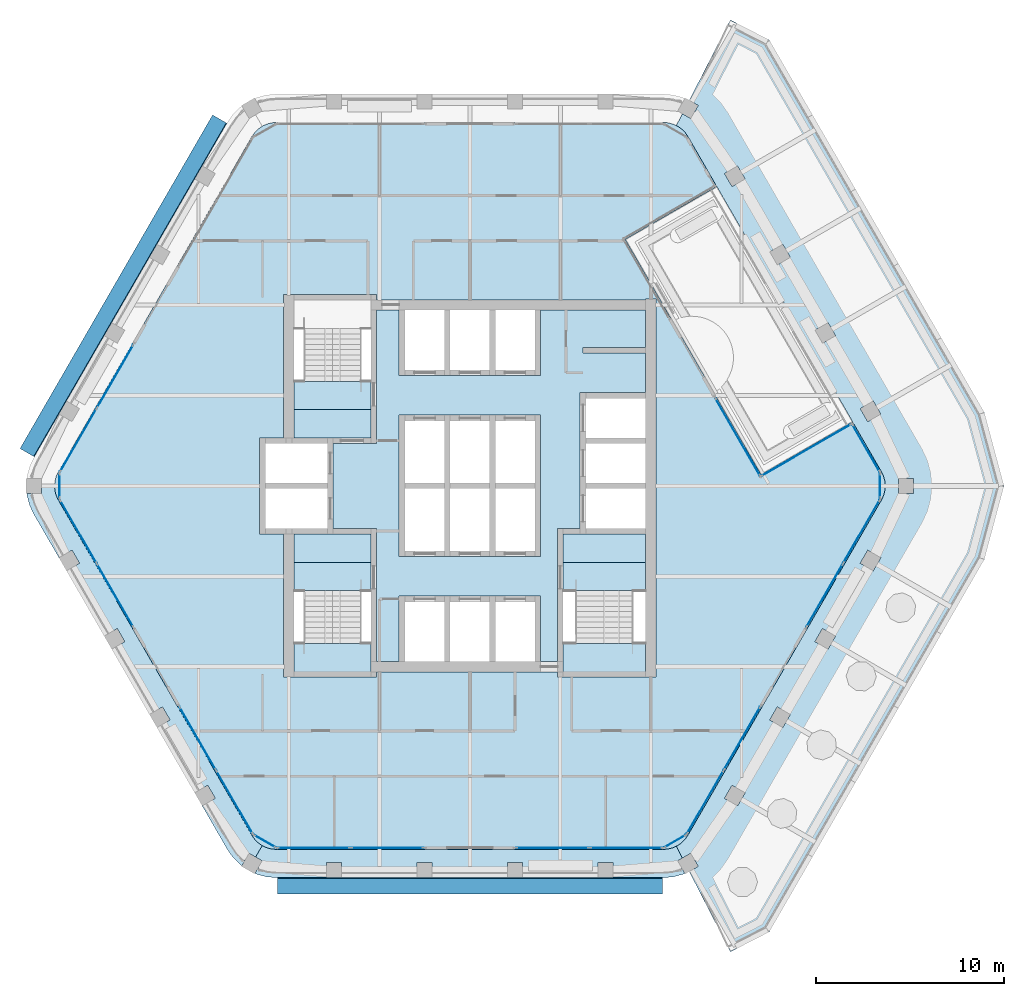
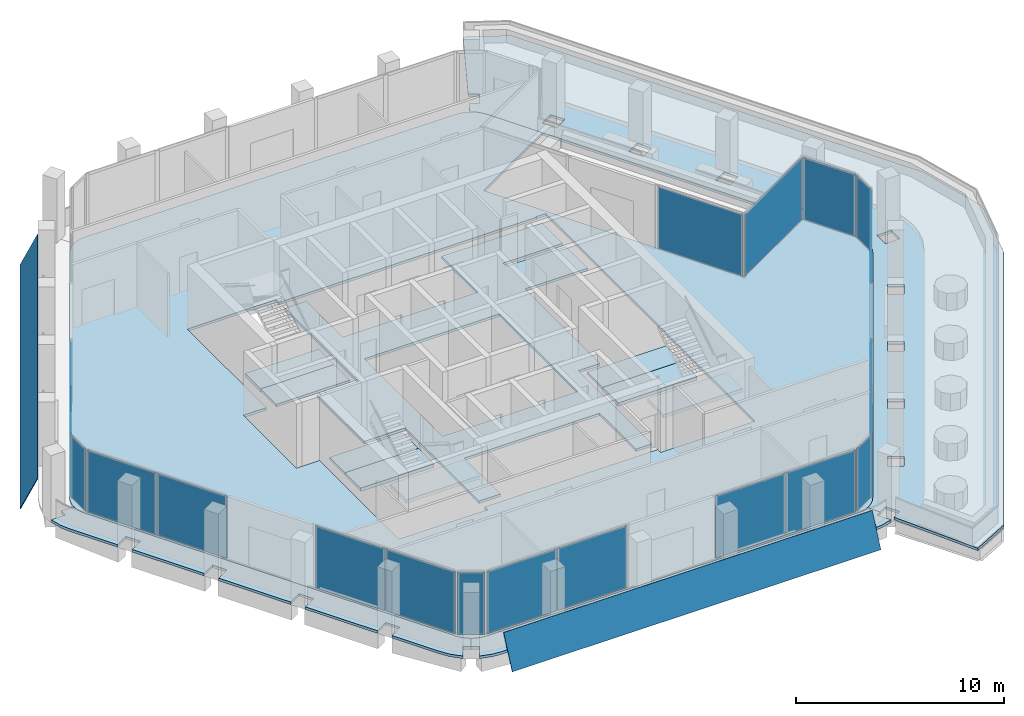
# One storey, part 8 of 17: 23 plates, 13 slabs, 17 elements without a shape of their own.
"""IFC4 building model written with IfcOpenShell, lengths in metres."""

from ifc_helpers import new_model, si_unit, direction, frame, origin, origin_2d, place, context, subcontext, project, spatial, polyline, rectangle, outline, extrude, material, layer, layer_set, type_object, element, aggregate, save


model = new_model("IFC4")

# Units and contexts
model_context = context("Model", 3, precision=1e-05, world=origin(), true_north=direction((0.0, 1.0)))
body_context = subcontext(model_context, "Body", "Model", "MODEL_VIEW")
ifc_project = project(units=[si_unit("LENGTHUNIT", "METRE"), si_unit("AREAUNIT", "SQUARE_METRE"), si_unit("VOLUMEUNIT", "CUBIC_METRE"), si_unit("PLANEANGLEUNIT", "RADIAN"), si_unit("MASSUNIT", "GRAM", prefix="KILO")], contexts=[model_context])

# Site, building, storey
site_placement = place(None, origin())
site = spatial("IfcSite", under=ifc_project, at=site_placement, CompositionType="ELEMENT")
building_placement = place(site_placement, origin())
building = spatial("IfcBuilding", under=site, at=building_placement, Name="Kolab Exchange Tower", CompositionType="ELEMENT")
storey_placement = place(building_placement, frame((0.0, 0.0, 285.199951171875)))
storey = spatial("IfcBuildingStorey", under=building, at=storey_placement, Name="L64", CompositionType="ELEMENT", Elevation=285.199951171875)

# Slabs
ifc_material_1 = material(Name="Concrete C35/45", Category="concrete")
ifc_layer_1 = layer(ifc_material_1, 0.14990234375)
ifc_layer_set_1 = layer_set([ifc_layer_1], Name="Concrete C35/45")
slab_type_1 = type_object("IfcSlabType", Name="FLOOR SLAB 150", PredefinedType="FLOOR", material=ifc_layer_set_1)
slab_1_placement = place(storey_placement, frame((0.0, 0.0, -0.14990234375)))
element("IfcSlab", 1, at=slab_1_placement, inside=storey, type_object=slab_type_1, Name="slab/L64/floor/0", PredefinedType="FLOOR", context=body_context, shape_type="SweptSolid", body=[
    extrude(outline(polyline([(21.8349609375, 0.75), (20.301025390625, 3.406982421875), (15.451171875, 0.60693359375), (8.251220703125, 13.07763671875), (13.10107421875, 15.877685546875), (11.56689453125, 18.53466796875), (11.4169921875, 18.748779296875), (11.232177734375, 18.93359375), (11.01806640625, 19.083740234375), (10.781005859375, 19.194091796875), (10.5283203125, 19.26171875), (10.26806640625, 19.28466796875), (-10.26806640625, 19.28466796875), (-10.5283203125, 19.26171875), (-10.781005859375, 19.194091796875), (-11.01806640625, 19.083740234375), (-11.232177734375, 18.93359375), (-11.4169921875, 18.748779296875), (-11.56689453125, 18.53466796875), (-21.8349609375, 0.75), (-21.945556640625, 0.512939453125), (-22.01318359375, 0.260498046875), (-22.035888671875, 0.0), (-22.01318359375, -0.260498046875), (-21.945556640625, -0.512939453125), (-21.8349609375, -0.75), (-11.56689453125, -18.53466796875), (-11.4169921875, -18.748779296875), (-11.232177734375, -18.93359375), (-11.01806640625, -19.083740234375), (-10.781005859375, -19.194091796875), (-10.5283203125, -19.26171875), (-10.26806640625, -19.28466796875), (10.26806640625, -19.28466796875), (10.5283203125, -19.26171875), (10.781005859375, -19.194091796875), (11.01806640625, -19.083740234375), (11.232177734375, -18.93359375), (11.4169921875, -18.748779296875), (11.56689453125, -18.53466796875), (21.8349609375, -0.75), (21.945556640625, -0.512939453125), (22.01318359375, -0.260498046875), (22.035888671875, 0.0), (22.01318359375, 0.260498046875), (21.945556640625, 0.512939453125), (21.8349609375, 0.75)]), holes=[polyline([(-9.324951171875, -10.14990234375), (-9.875, -10.14990234375), (-9.875, -2.550048828125), (-10.85009765625, -2.550048828125), (-11.14990234375, -2.550048828125), (-11.14990234375, 2.550048828125), (-10.85009765625, 2.550048828125), (-9.875, 2.550048828125), (-9.875, 10.14990234375), (-9.324951171875, 10.14990234375), (-5.25, 10.14990234375), (-4.949951171875, 10.14990234375), (-4.949951171875, 9.875), (9.324951171875, 9.875), (9.324951171875, 9.925048828125), (9.875, 9.925048828125), (9.875, -10.14990234375), (9.324951171875, -10.14990234375), (4.949951171875, -10.14990234375), (4.64990234375, -10.14990234375), (4.64990234375, -9.875), (-4.949951171875, -9.875), (-4.949951171875, -10.14990234375), (-5.25, -10.14990234375), (-9.324951171875, -10.14990234375)])]), origin(), (0.0, 0.0, 1.0), 0.14990234375),
])
slab_2_placement = place(storey_placement, frame((0.0, 0.0, -0.14990234375)))
element("IfcSlab", 2, at=slab_2_placement, inside=storey, type_object=slab_type_1, Name="slab/L64/floor/1", PredefinedType="FLOOR", context=body_context, shape_type="SweptSolid", body=[
    extrude(outline(polyline([(-4.949951171875, 9.324951171875), (-4.949951171875, 2.25), (-5.25, 2.25), (-7.25, 2.25), (-7.25, -2.25), (-5.25, -2.25), (-4.949951171875, -2.25), (-4.949951171875, -9.324951171875), (-3.75, -9.324951171875), (-3.75, -5.85009765625), (-3.449951171875, -5.85009765625), (-1.35009765625, -5.85009765625), (-1.050048828125, -5.85009765625), (1.050048828125, -5.85009765625), (1.35009765625, -5.85009765625), (3.449951171875, -5.85009765625), (3.75, -5.85009765625), (3.75, -9.324951171875), (4.64990234375, -9.324951171875), (4.64990234375, -2.25), (4.949951171875, -2.25), (5.85009765625, -2.25), (5.85009765625, 4.949951171875), (6.14990234375, 4.949951171875), (9.324951171875, 4.949951171875), (9.324951171875, 7.050048828125), (6.0, 7.050048828125), (6.0, 7.35009765625), (9.324951171875, 7.35009765625), (9.324951171875, 9.324951171875), (3.75, 9.324951171875), (3.75, 5.85009765625), (3.449951171875, 5.85009765625), (1.35009765625, 5.85009765625), (1.050048828125, 5.85009765625), (-1.050048828125, 5.85009765625), (-1.35009765625, 5.85009765625), (-3.449951171875, 5.85009765625), (-3.75, 5.85009765625), (-3.75, 9.324951171875), (-4.949951171875, 9.324951171875)]), holes=[polyline([(-3.449951171875, -3.75), (-3.75, -3.75), (-3.75, 3.75), (-3.449951171875, 3.75), (-1.35009765625, 3.75), (-1.050048828125, 3.75), (1.050048828125, 3.75), (1.35009765625, 3.75), (3.449951171875, 3.75), (3.75, 3.75), (3.75, -3.75), (3.449951171875, -3.75), (1.35009765625, -3.75), (1.050048828125, -3.75), (-1.050048828125, -3.75), (-1.35009765625, -3.75), (-3.449951171875, -3.75)])]), origin(), (0.0, 0.0, 1.0), 0.14990234375),
])
slab_3_placement = place(storey_placement, frame((0.0, 0.0, -0.14990234375)))
element("IfcSlab", 3, at=slab_3_placement, inside=storey, type_object=slab_type_1, Name="slab/L64/floor/2", PredefinedType="FLOOR", context=body_context, shape_type="SweptSolid", body=[
    extrude(outline(polyline([(4.949951171875, -2.550048828125), (4.949951171875, -4.050048828125), (9.324951171875, -4.050048828125), (9.324951171875, -2.550048828125), (6.14990234375, -2.550048828125), (5.85009765625, -2.550048828125), (4.949951171875, -2.550048828125)])), origin(), (0.0, 0.0, 1.0), 0.14990234375),
])
slab_4_placement = place(storey_placement, frame((0.0, 0.0, -0.14990234375)))
element("IfcSlab", 4, at=slab_4_placement, inside=storey, type_object=slab_type_1, Name="slab/L64/floor/3", PredefinedType="FLOOR", context=body_context, shape_type="SweptSolid", body=[
    extrude(outline(polyline([(-7.550048828125, -2.550048828125), (-9.324951171875, -2.550048828125), (-9.324951171875, -4.050048828125), (-5.25, -4.050048828125), (-5.25, -2.550048828125), (-7.25, -2.550048828125), (-7.550048828125, -2.550048828125)])), origin(), (0.0, 0.0, 1.0), 0.14990234375),
])
slab_5_placement = place(storey_placement, frame((0.0, 0.0, -0.14990234375)))
element("IfcSlab", 5, at=slab_5_placement, inside=storey, type_object=slab_type_1, Name="slab/L64/floor/4", PredefinedType="FLOOR", context=body_context, shape_type="SweptSolid", body=[
    extrude(outline(polyline([(-9.324951171875, 4.050048828125), (-9.324951171875, 2.550048828125), (-7.550048828125, 2.550048828125), (-7.25, 2.550048828125), (-5.25, 2.550048828125), (-5.25, 4.050048828125), (-9.324951171875, 4.050048828125)])), origin(), (0.0, 0.0, 1.0), 0.14990234375),
])
ifc_layer_2 = layer(ifc_material_1, 0.14990234375)
ifc_layer_set_2 = layer_set([ifc_layer_2], Name="Concrete C35/45")
slab_type_2 = type_object("IfcSlabType", Name="LOGGIA SLAB 150", PredefinedType="FLOOR", material=ifc_layer_set_2)
slab_6_placement = place(storey_placement, frame((0.0, 0.0, -0.14990234375)))
element("IfcSlab", 6, at=slab_6_placement, inside=storey, type_object=slab_type_2, Name="slab/L64/loggia/3-0", PredefinedType="FLOOR", context=body_context, shape_type="SweptSolid", body=[
    extrude(outline(polyline([(-10.781005859375, -19.194091796875), (-11.01806640625, -19.083740234375), (-11.367919921875, -19.68994140625), (-11.021484375, -19.889892578125), (-11.404052734375, -20.552490234375), (-11.2939453125, -20.603759765625), (-10.788818359375, -20.739013671875), (-10.26806640625, -20.78466796875), (-7.60009765625, -20.78466796875), (-7.60009765625, -19.984619140625), (-6.800048828125, -19.984619140625), (-6.800048828125, -20.78466796875), (-2.800048828125, -20.78466796875), (-2.800048828125, -19.984619140625), (-2.0, -19.984619140625), (-2.0, -20.78466796875), (2.0, -20.78466796875), (2.0, -19.984619140625), (2.800048828125, -19.984619140625), (2.800048828125, -20.78466796875), (6.800048828125, -20.78466796875), (6.800048828125, -19.984619140625), (7.60009765625, -19.984619140625), (7.60009765625, -20.78466796875), (10.26806640625, -20.78466796875), (10.788818359375, -20.739013671875), (11.2939453125, -20.603759765625), (11.404052734375, -20.552490234375), (11.021484375, -19.889892578125), (11.271728515625, -19.745361328125), (10.948974609375, -19.11572265625), (10.781005859375, -19.194091796875), (10.5283203125, -19.26171875), (10.26806640625, -19.28466796875), (-10.26806640625, -19.28466796875), (-10.5283203125, -19.26171875), (-10.781005859375, -19.194091796875)])), origin(), (0.0, 0.0, 1.0), 0.14990234375),
])
slab_7_placement = place(storey_placement, frame((0.0, 0.0, -0.14990234375)))
element("IfcSlab", 7, at=slab_7_placement, inside=storey, type_object=slab_type_2, Name="slab/L64/loggia/4-0", PredefinedType="FLOOR", context=body_context, shape_type="SweptSolid", body=[
    extrude(outline(polyline([(-22.01318359375, -0.260498046875), (-22.035888671875, 0.0), (-22.73583984375, 0.0), (-22.73583984375, -0.39990234375), (-23.5009765625, -0.39990234375), (-23.490234375, -0.52099609375), (-23.35498046875, -1.026123046875), (-23.134033203125, -1.5), (-21.800048828125, -3.810546875), (-21.107177734375, -3.410400390625), (-20.707275390625, -4.103271484375), (-21.39990234375, -4.50341796875), (-19.39990234375, -7.967529296875), (-18.707275390625, -7.5673828125), (-18.30712890625, -8.26025390625), (-19.0, -8.66015625), (-17.0, -12.124267578125), (-16.30712890625, -11.724365234375), (-15.9072265625, -12.417236328125), (-16.60009765625, -12.817138671875), (-14.60009765625, -16.28125), (-13.9072265625, -15.88134765625), (-13.507080078125, -16.57421875), (-14.199951171875, -16.97412109375), (-12.865966796875, -19.28466796875), (-12.566162109375, -19.712890625), (-12.1962890625, -20.082763671875), (-12.096923828125, -20.15234375), (-11.71435546875, -19.48974609375), (-11.367919921875, -19.68994140625), (-11.01806640625, -19.083740234375), (-11.232177734375, -18.93359375), (-11.4169921875, -18.748779296875), (-11.56689453125, -18.53466796875), (-21.8349609375, -0.75), (-21.945556640625, -0.512939453125), (-22.01318359375, -0.260498046875)])), origin(), (0.0, 0.0, 1.0), 0.14990234375),
])

# Plates
ifc_material_2 = material(Name="Laminated glass, clear", Category="glass")
ifc_layer_3 = layer(ifc_material_2, 0.0400390625)
ifc_layer_set_3 = layer_set([ifc_layer_3], Name="Laminated glass, clear")
plate_type_1 = type_object("IfcPlateType", Name="OUTER SKIN LAMINATED GLASS SHEET 40", PredefinedType="SHEET", material=ifc_layer_set_3)
plate_1_placement = place(storey_placement, frame((10.218017578125, -21.66015625, -0.68310546875), z_axis=(0.0, -0.906311853188, 0.422609541742), x_axis=(-1.0, 0.0, 0.0)))
element("IfcPlate", 8, at=plate_1_placement, inside=storey, type_object=plate_type_1, Name="Outer skin", PredefinedType="SHEET", context=body_context, shape_type="SweptSolid", body=[
    extrude(outline(polyline([(0.0, 0.0), (20.43603515625, 0.0), (20.43603515625, -1.9861252192534886), (0.0, -1.9861252192534886), (0.0, 0.0)])), origin(), (0.0, 0.0, -1.0), 0.0400390625),
])
plate_2_placement = place(storey_placement, frame((-23.8671875, 1.981201171875, -0.68310546875), z_axis=(-0.784886322863, 0.453152182031, 0.422618693508), x_axis=(0.499997422494, 0.866026891901, -1.981408e-06)))
element("IfcPlate", 9, at=plate_2_placement, inside=storey, type_object=plate_type_1, Name="Outer skin", PredefinedType="SHEET", context=body_context, shape_type="SweptSolid", body=[
    extrude(outline(polyline([(0.0, 0.0), (20.435802623779963, 0.0), (20.435870369896403, -1.9861792489881698), (-5.4323566790471804e-05, -1.9860898935068518), (0.0, 0.0)])), origin(), (0.0, 0.0, -1.0), 0.0400390625),
])

# Stair, slab
ifc_material_3 = material(Name="Concrete C50/60", Category="concrete")
stair_type_1 = type_object("IfcStairType", Name="STAIR ST1 RISER 177.3", PredefinedType="HALF_TURN_STAIR", material=ifc_material_3)
stair_1_placement = place(storey_placement, origin())
stair_1 = element("IfcStair", 10, at=stair_1_placement, inside=storey, type_object=stair_type_1, Name="Stair 1", PredefinedType="HALF_TURN_STAIR")
ifc_layer_4 = layer(ifc_material_3, 0.199951171875)
ifc_layer_set_4 = layer_set([ifc_layer_4], Name="Concrete C50/60")
slab_type_3 = type_object("IfcSlabType", Name="STAIR LANDING 200", PredefinedType="LANDING", material=ifc_layer_set_4)
slab_8_placement = place(storey_placement, frame((0.0, 0.0, -0.199951171875)))
slab_8 = element("IfcSlab", 11, at=slab_8_placement, type_object=slab_type_3, Name="ST1 landing 1", PredefinedType="LANDING", context=body_context, shape_type="SweptSolid", body=[
    extrude(outline(polyline([(-9.324951171875, 4.050048828125), (-5.25, 4.050048828125), (-5.25, 5.550048828125), (-9.324951171875, 5.550048828125), (-9.324951171875, 4.050048828125)])), origin(), (0.0, 0.0, 1.0), 0.199951171875),
])
aggregate(stair_1, [slab_8])

# Stair, slabs
stair_type_2 = type_object("IfcStairType", Name="STAIR ST3 RISER 177.3", PredefinedType="HALF_TURN_STAIR", material=ifc_material_3)
stair_2_placement = place(storey_placement, origin())
stair_2 = element("IfcStair", 12, at=stair_2_placement, inside=storey, type_object=stair_type_2, Name="Stair 3", PredefinedType="HALF_TURN_STAIR")
slab_9_placement = place(storey_placement, frame((0.0, 0.0, -0.199951171875)))
slab_9 = element("IfcSlab", 13, at=slab_9_placement, type_object=slab_type_3, Name="ST3 landing 1", PredefinedType="LANDING", context=body_context, shape_type="SweptSolid", body=[
    extrude(outline(polyline([(-9.324951171875, -5.550048828125), (-5.25, -5.550048828125), (-5.25, -4.050048828125), (-9.324951171875, -4.050048828125), (-9.324951171875, -5.550048828125)])), origin(), (0.0, 0.0, 1.0), 0.199951171875),
])
slab_10_placement = place(storey_placement, frame((0.0, 0.0, 1.75)))
slab_10 = element("IfcSlab", 14, at=slab_10_placement, type_object=slab_type_3, Name="ST3 landing 2", PredefinedType="LANDING", context=body_context, shape_type="SweptSolid", body=[
    extrude(outline(polyline([(-9.324951171875, -9.909912109375), (-5.25, -9.909912109375), (-5.25, -8.35009765625), (-9.324951171875, -8.35009765625), (-9.324951171875, -9.909912109375)])), origin(), (0.0, 0.0, 1.0), 0.199951171875),
])
aggregate(stair_2, [slab_9, slab_10])

stair_type_3 = type_object("IfcStairType", Name="STAIR ST2 RISER 177.3", PredefinedType="HALF_TURN_STAIR", material=ifc_material_3)
stair_3_placement = place(storey_placement, origin())
stair_3 = element("IfcStair", 15, at=stair_3_placement, inside=storey, type_object=stair_type_3, Name="Stair 2", PredefinedType="HALF_TURN_STAIR")
slab_11_placement = place(storey_placement, frame((0.0, 0.0, -0.199951171875)))
slab_11 = element("IfcSlab", 16, at=slab_11_placement, type_object=slab_type_3, Name="ST2 landing 1", PredefinedType="LANDING", context=body_context, shape_type="SweptSolid", body=[
    extrude(outline(polyline([(4.949951171875, -5.550048828125), (9.324951171875, -5.550048828125), (9.324951171875, -4.050048828125), (4.949951171875, -4.050048828125), (4.949951171875, -5.550048828125)])), origin(), (0.0, 0.0, 1.0), 0.199951171875),
])
slab_12_placement = place(storey_placement, frame((0.0, 0.0, 1.75)))
slab_12 = element("IfcSlab", 17, at=slab_12_placement, type_object=slab_type_3, Name="ST2 landing 2", PredefinedType="LANDING", context=body_context, shape_type="SweptSolid", body=[
    extrude(outline(polyline([(4.949951171875, -9.909912109375), (9.324951171875, -9.909912109375), (9.324951171875, -8.35009765625), (4.949951171875, -8.35009765625), (4.949951171875, -9.909912109375)])), origin(), (0.0, 0.0, 1.0), 0.199951171875),
])
aggregate(stair_3, [slab_11, slab_12])

# Slab
ifc_layer_5 = layer(ifc_material_1, 0.14990234375)
ifc_layer_set_5 = layer_set([ifc_layer_5], Name="Concrete C35/45")
slab_type_4 = type_object("IfcSlabType", Name="TERRACE SLAB 150 PLANTED", PredefinedType="ROOF", material=ifc_layer_set_5)
slab_13_placement = place(storey_placement, frame((0.0, 0.0, -0.14990234375)))
element("IfcSlab", 18, at=slab_13_placement, inside=storey, type_object=slab_type_4, Name="Roof terrace", PredefinedType="ROOF", context=body_context, shape_type="SweptSolid", body=[
    extrude(outline(polyline([(10.949951171875, -19.115234375), (10.949951171875, -19.115478515625), (11.272705078125, -19.744873046875), (11.71435546875, -19.48974609375), (12.1142578125, -20.1826171875), (11.637939453125, -20.457763671875), (13.8212890625, -24.7177734375), (15.88134765625, -23.661865234375), (27.290771484375, -3.900146484375), (27.291015625, -3.89990234375), (28.3359375, 0.0), (27.291015625, 3.89990234375), (27.290771484375, 3.900146484375), (15.88134765625, 23.661865234375), (13.8212890625, 24.7177734375), (11.637939453125, 20.457763671875), (12.1142578125, 20.1826171875), (11.71435546875, 19.48974609375), (11.272705078125, 19.744873046875), (10.949951171875, 19.115478515625), (10.949951171875, 19.115234375), (11.017822265625, 19.083740234375), (11.01806640625, 19.083740234375), (11.01806640625, 19.08349609375), (11.23193359375, 18.933837890625), (11.232177734375, 18.93359375), (11.4169921875, 18.7490234375), (11.4169921875, 18.748779296875), (11.417236328125, 18.74853515625), (11.56689453125, 18.53466796875), (11.567138671875, 18.534423828125), (21.8349609375, 0.75), (21.9453125, 0.51318359375), (21.9453125, 0.512939453125), (21.945556640625, 0.512939453125), (22.01318359375, 0.2607421875), (22.01318359375, 0.260498046875), (22.01318359375, 0.26025390625), (22.035888671875, 0.000244140625), (22.035888671875, 0.0), (22.035888671875, -0.000244140625), (22.01318359375, -0.26025390625), (22.01318359375, -0.260498046875), (22.01318359375, -0.2607421875), (21.945556640625, -0.512939453125), (21.9453125, -0.512939453125), (21.9453125, -0.51318359375), (21.8349609375, -0.75), (11.567138671875, -18.534423828125), (11.56689453125, -18.53466796875), (11.417236328125, -18.74853515625), (11.4169921875, -18.748779296875), (11.4169921875, -18.7490234375), (11.232177734375, -18.93359375), (11.23193359375, -18.933837890625), (11.01806640625, -19.08349609375), (11.01806640625, -19.083740234375), (11.017822265625, -19.083740234375), (10.949951171875, -19.115234375)]), holes=[polyline([(13.507080078125, -16.57421875), (13.9072265625, -15.88134765625), (14.60009765625, -16.28125), (14.199951171875, -16.97412109375), (13.507080078125, -16.57421875)]), polyline([(15.9072265625, -12.417236328125), (16.30712890625, -11.724365234375), (17.0, -12.124267578125), (16.60009765625, -12.817138671875), (15.9072265625, -12.417236328125)]), polyline([(18.30712890625, -8.26025390625), (18.707275390625, -7.5673828125), (19.39990234375, -7.967529296875), (19.0, -8.66015625), (18.30712890625, -8.26025390625)]), polyline([(20.707275390625, -4.103271484375), (21.107177734375, -3.410400390625), (21.800048828125, -3.810546875), (21.39990234375, -4.50341796875), (20.707275390625, -4.103271484375)]), polyline([(22.73583984375, -0.39990234375), (22.73583984375, 0.39990234375), (23.535888671875, 0.39990234375), (23.535888671875, -0.39990234375), (22.73583984375, -0.39990234375)]), polyline([(20.707275390625, 4.103271484375), (21.39990234375, 4.50341796875), (21.800048828125, 3.810546875), (21.107177734375, 3.410400390625), (20.707275390625, 4.103271484375)]), polyline([(18.30712890625, 8.26025390625), (19.0, 8.66015625), (19.39990234375, 7.967529296875), (18.707275390625, 7.5673828125), (18.30712890625, 8.26025390625)]), polyline([(15.9072265625, 12.417236328125), (16.60009765625, 12.817138671875), (17.0, 12.124267578125), (16.30712890625, 11.724365234375), (15.9072265625, 12.417236328125)]), polyline([(13.507080078125, 16.57421875), (14.199951171875, 16.97412109375), (14.60009765625, 16.28125), (13.9072265625, 15.88134765625), (13.507080078125, 16.57421875)])]), origin(), (0.0, 0.0, 1.0), 0.14990234375),
])

# Curtain wall, plate
ifc_material_4 = material(Name="Aluminium EN AW-6063 T6", Category="aluminium")
curtain_wall_type = type_object("IfcCurtainWallType", Name="UNITISED HIGH ZONE CURTAIN WALL", PredefinedType="NOTDEFINED", material=ifc_material_4)
curtain_wall_1_placement = place(storey_placement, origin())
curtain_wall_1 = element("IfcCurtainWall", 19, at=curtain_wall_1_placement, inside=storey, type_object=curtain_wall_type, Name="cw/L64/F2-back-2", PredefinedType="NOTDEFINED")
ifc_material_5 = material(Name="Clear insulated glazing unit", Category="glass")
ifc_layer_6 = layer(ifc_material_5, 0.030029296875)
ifc_layer_set_6 = layer_set([ifc_layer_6], Name="Clear insulated glazing unit")
plate_type_2 = type_object("IfcPlateType", Name="UNITISED HIGH ZONE GLASS PANEL 30", PredefinedType="CURTAIN_PANEL", material=ifc_layer_set_6)
plate_3_placement = place(storey_placement, frame((14.20849609375, 2.59912109375, 0.06005859375), z_axis=(0.0, 0.0, 1.0), x_axis=(0.500000047915, -0.866025376121, 0.0)))
plate_3 = element("IfcPlate", 20, at=plate_3_placement, type_object=plate_type_2, Name="CW4 panel 1.1", PredefinedType="CURTAIN_PANEL", context=body_context, shape_type="SweptSolid", body=[
    extrude(rectangle(XDim=4.7333984375, YDim=0.030029296875, at=origin_2d()), origin(), (0.0, 0.0, 1.0), 3.6298828125),
])
aggregate(curtain_wall_1, [plate_3])

curtain_wall_2_placement = place(storey_placement, origin())
curtain_wall_2 = element("IfcCurtainWall", 21, at=curtain_wall_2_placement, inside=storey, type_object=curtain_wall_type, Name="cw/L64/F2-rr-1", PredefinedType="NOTDEFINED")
plate_4_placement = place(storey_placement, frame((17.846923828125, 1.897705078125, 0.06005859375), z_axis=(0.0, 0.0, 1.0), x_axis=(0.866025392126, 0.500000020194, 0.0)))
plate_4 = element("IfcPlate", 22, at=plate_4_placement, type_object=plate_type_2, Name="CW4 panel 1.1", PredefinedType="CURTAIN_PANEL", context=body_context, shape_type="SweptSolid", body=[
    extrude(rectangle(XDim=5.47998046875, YDim=0.030029296875, at=origin_2d()), origin(), (0.0, 0.0, 1.0), 3.6298828125),
])
aggregate(curtain_wall_2, [plate_4])

curtain_wall_3_placement = place(storey_placement, origin())
curtain_wall_3 = element("IfcCurtainWall", 23, at=curtain_wall_3_placement, inside=storey, type_object=curtain_wall_type, Name="cw/L64/F2-r-1", PredefinedType="NOTDEFINED")
plate_5_placement = place(storey_placement, frame((21.0185546875, 2.00390625, 0.06005859375), z_axis=(0.0, 0.0, 1.0), x_axis=(0.499999836698, -0.866025498067, 0.0)))
plate_5 = element("IfcPlate", 24, at=plate_5_placement, type_object=plate_type_2, Name="CW4 panel 1.1", PredefinedType="CURTAIN_PANEL", context=body_context, shape_type="SweptSolid", body=[
    extrude(rectangle(XDim=2.867919921875, YDim=0.030029296875, at=origin_2d()), origin(), (0.0, 0.0, 1.0), 3.6298828125),
])
aggregate(curtain_wall_3, [plate_5])

# Curtain wall, plates
curtain_wall_4_placement = place(storey_placement, origin())
curtain_wall_4 = element("IfcCurtainWall", 25, at=curtain_wall_4_placement, inside=storey, type_object=curtain_wall_type, Name="cw/L64/F3-1", PredefinedType="NOTDEFINED")
plate_6_placement = place(storey_placement, frame((20.774658203125, -2.426513671875, 0.06005859375), z_axis=(0.0, 0.0, 1.0), x_axis=(-0.499999936366, -0.866025440524, 0.0)))
plate_6 = element("IfcPlate", 26, at=plate_6_placement, type_object=plate_type_2, Name="CW4 panel 1.1", PredefinedType="CURTAIN_PANEL", context=body_context, shape_type="SweptSolid", body=[
    extrude(rectangle(XDim=3.843994140625, YDim=0.030029296875, at=origin_2d()), origin(), (0.0, 0.0, 1.0), 3.6298828125),
])
plate_7_placement = place(storey_placement, frame((18.82275390625, -5.807373046875, 0.06005859375), z_axis=(0.0, 0.0, 1.0), x_axis=(-0.499999936366, -0.866025440524, 0.0)))
plate_7 = element("IfcPlate", 27, at=plate_7_placement, type_object=plate_type_2, Name="CW4 panel 2.1", PredefinedType="CURTAIN_PANEL", context=body_context, shape_type="SweptSolid", body=[
    extrude(rectangle(XDim=3.843994140625, YDim=0.030029296875, at=origin_2d()), origin(), (0.0, 0.0, 1.0), 3.6298828125),
])
aggregate(curtain_wall_4, [plate_6, plate_7])

curtain_wall_5_placement = place(storey_placement, origin())
curtain_wall_5 = element("IfcCurtainWall", 28, at=curtain_wall_5_placement, inside=storey, type_object=curtain_wall_type, Name="cw/L64/F3-2", PredefinedType="NOTDEFINED")
plate_8_placement = place(storey_placement, frame((14.440673828125, -13.397216796875, 0.06005859375), z_axis=(0.0, 0.0, 1.0), x_axis=(-0.500000031681, -0.866025385493, 0.0)))
plate_8 = element("IfcPlate", 29, at=plate_8_placement, type_object=plate_type_2, Name="CW4 panel 1.1", PredefinedType="CURTAIN_PANEL", context=body_context, shape_type="SweptSolid", body=[
    extrude(rectangle(XDim=3.843994140625, YDim=0.030029296875, at=origin_2d()), origin(), (0.0, 0.0, 1.0), 3.6298828125),
])
plate_9_placement = place(storey_placement, frame((12.48876953125, -16.778076171875, 0.06005859375), z_axis=(0.0, 0.0, 1.0), x_axis=(-0.500000031681, -0.866025385493, 0.0)))
plate_9 = element("IfcPlate", 30, at=plate_9_placement, type_object=plate_type_2, Name="CW4 panel 2.1", PredefinedType="CURTAIN_PANEL", context=body_context, shape_type="SweptSolid", body=[
    extrude(rectangle(XDim=3.843994140625, YDim=0.030029296875, at=origin_2d()), origin(), (0.0, 0.0, 1.0), 3.6298828125),
])
aggregate(curtain_wall_5, [plate_8, plate_9])

curtain_wall_6_placement = place(storey_placement, origin())
curtain_wall_6 = element("IfcCurtainWall", 31, at=curtain_wall_6_placement, inside=storey, type_object=curtain_wall_type, Name="cw/L64/F4-1", PredefinedType="NOTDEFINED")
plate_10_placement = place(storey_placement, frame((8.285888671875, -19.20458984375, 0.06005859375), z_axis=(0.0, 0.0, 1.0), x_axis=(-1.0, 0.0, 0.0)))
plate_10 = element("IfcPlate", 32, at=plate_10_placement, type_object=plate_type_2, Name="CW4 panel 1.1", PredefinedType="CURTAIN_PANEL", context=body_context, shape_type="SweptSolid", body=[
    extrude(rectangle(XDim=3.843994140625, YDim=0.030029296875, at=origin_2d()), origin(), (0.0, 0.0, 1.0), 3.6298828125),
])
plate_11_placement = place(storey_placement, frame((4.382080078125, -19.20458984375, 0.06005859375), z_axis=(0.0, 0.0, 1.0), x_axis=(-1.0, 0.0, 0.0)))
plate_11 = element("IfcPlate", 33, at=plate_11_placement, type_object=plate_type_2, Name="CW4 panel 2.1", PredefinedType="CURTAIN_PANEL", context=body_context, shape_type="SweptSolid", body=[
    extrude(rectangle(XDim=3.843994140625, YDim=0.030029296875, at=origin_2d()), origin(), (0.0, 0.0, 1.0), 3.6298828125),
])
aggregate(curtain_wall_6, [plate_10, plate_11])

curtain_wall_7_placement = place(storey_placement, origin())
curtain_wall_7 = element("IfcCurtainWall", 34, at=curtain_wall_7_placement, inside=storey, type_object=curtain_wall_type, Name="cw/L64/F4-2", PredefinedType="NOTDEFINED")
plate_12_placement = place(storey_placement, frame((-4.382080078125, -19.20458984375, 0.06005859375), z_axis=(0.0, 0.0, 1.0), x_axis=(-1.0, 0.0, 0.0)))
plate_12 = element("IfcPlate", 35, at=plate_12_placement, type_object=plate_type_2, Name="CW4 panel 1.1", PredefinedType="CURTAIN_PANEL", context=body_context, shape_type="SweptSolid", body=[
    extrude(rectangle(XDim=3.843994140625, YDim=0.030029296875, at=origin_2d()), origin(), (0.0, 0.0, 1.0), 3.6298828125),
])
plate_13_placement = place(storey_placement, frame((-8.285888671875, -19.20458984375, 0.06005859375), z_axis=(0.0, 0.0, 1.0), x_axis=(-1.0, 0.0, 0.0)))
plate_13 = element("IfcPlate", 36, at=plate_13_placement, type_object=plate_type_2, Name="CW4 panel 2.1", PredefinedType="CURTAIN_PANEL", context=body_context, shape_type="SweptSolid", body=[
    extrude(rectangle(XDim=3.843994140625, YDim=0.030029296875, at=origin_2d()), origin(), (0.0, 0.0, 1.0), 3.6298828125),
])
aggregate(curtain_wall_7, [plate_12, plate_13])

curtain_wall_8_placement = place(storey_placement, origin())
curtain_wall_8 = element("IfcCurtainWall", 37, at=curtain_wall_8_placement, inside=storey, type_object=curtain_wall_type, Name="cw/L64/F5-1", PredefinedType="NOTDEFINED")
plate_14_placement = place(storey_placement, frame((-12.48876953125, -16.778076171875, 0.06005859375), z_axis=(0.0, 0.0, 1.0), x_axis=(-0.500000031681, 0.866025385493, 0.0)))
plate_14 = element("IfcPlate", 38, at=plate_14_placement, type_object=plate_type_2, Name="CW4 panel 1.1", PredefinedType="CURTAIN_PANEL", context=body_context, shape_type="SweptSolid", body=[
    extrude(rectangle(XDim=3.843994140625, YDim=0.030029296875, at=origin_2d()), origin(), (0.0, 0.0, 1.0), 3.6298828125),
])
plate_15_placement = place(storey_placement, frame((-14.440673828125, -13.397216796875, 0.06005859375), z_axis=(0.0, 0.0, 1.0), x_axis=(-0.500000031681, 0.866025385493, 0.0)))
plate_15 = element("IfcPlate", 39, at=plate_15_placement, type_object=plate_type_2, Name="CW4 panel 2.1", PredefinedType="CURTAIN_PANEL", context=body_context, shape_type="SweptSolid", body=[
    extrude(rectangle(XDim=3.843994140625, YDim=0.030029296875, at=origin_2d()), origin(), (0.0, 0.0, 1.0), 3.6298828125),
])
aggregate(curtain_wall_8, [plate_14, plate_15])

curtain_wall_9_placement = place(storey_placement, origin())
curtain_wall_9 = element("IfcCurtainWall", 40, at=curtain_wall_9_placement, inside=storey, type_object=curtain_wall_type, Name="cw/L64/F5-2", PredefinedType="NOTDEFINED")
plate_16_placement = place(storey_placement, frame((-18.82275390625, -5.807373046875, 0.06005859375), z_axis=(0.0, 0.0, 1.0), x_axis=(-0.499999936366, 0.866025440524, 0.0)))
plate_16 = element("IfcPlate", 41, at=plate_16_placement, type_object=plate_type_2, Name="CW4 panel 1.1", PredefinedType="CURTAIN_PANEL", context=body_context, shape_type="SweptSolid", body=[
    extrude(rectangle(XDim=3.843994140625, YDim=0.030029296875, at=origin_2d()), origin(), (0.0, 0.0, 1.0), 3.6298828125),
])
plate_17_placement = place(storey_placement, frame((-20.774658203125, -2.426513671875, 0.06005859375), z_axis=(0.0, 0.0, 1.0), x_axis=(-0.499999936366, 0.866025440524, 0.0)))
plate_17 = element("IfcPlate", 42, at=plate_17_placement, type_object=plate_type_2, Name="CW4 panel 2.1", PredefinedType="CURTAIN_PANEL", context=body_context, shape_type="SweptSolid", body=[
    extrude(rectangle(XDim=3.843994140625, YDim=0.030029296875, at=origin_2d()), origin(), (0.0, 0.0, 1.0), 3.6298828125),
])
aggregate(curtain_wall_9, [plate_16, plate_17])

curtain_wall_10_placement = place(storey_placement, origin())
curtain_wall_10 = element("IfcCurtainWall", 43, at=curtain_wall_10_placement, inside=storey, type_object=curtain_wall_type, Name="cw/L64/F6-1", PredefinedType="NOTDEFINED")
plate_18_placement = place(storey_placement, frame((-20.774658203125, 2.426513671875, 0.06005859375), z_axis=(0.0, 0.0, 1.0), x_axis=(0.499999936366, 0.866025440524, 0.0)))
plate_18 = element("IfcPlate", 44, at=plate_18_placement, type_object=plate_type_2, Name="CW4 panel 1.1", PredefinedType="CURTAIN_PANEL", context=body_context, shape_type="SweptSolid", body=[
    extrude(rectangle(XDim=3.843994140625, YDim=0.030029296875, at=origin_2d()), origin(), (0.0, 0.0, 1.0), 3.6298828125),
])
plate_19_placement = place(storey_placement, frame((-18.82275390625, 5.807373046875, 0.06005859375), z_axis=(0.0, 0.0, 1.0), x_axis=(0.499999936366, 0.866025440524, 0.0)))
plate_19 = element("IfcPlate", 45, at=plate_19_placement, type_object=plate_type_2, Name="CW4 panel 2.1", PredefinedType="CURTAIN_PANEL", context=body_context, shape_type="SweptSolid", body=[
    extrude(rectangle(XDim=3.843994140625, YDim=0.030029296875, at=origin_2d()), origin(), (0.0, 0.0, 1.0), 3.6298828125),
])
aggregate(curtain_wall_10, [plate_18, plate_19])

# Curtain wall, plate
curtain_wall_11_placement = place(storey_placement, origin())
curtain_wall_11 = element("IfcCurtainWall", 46, at=curtain_wall_11_placement, inside=storey, type_object=curtain_wall_type, Name="cw/L64/F2F3-corner", PredefinedType="NOTDEFINED")
plate_20_placement = place(storey_placement, frame((21.765625, 0.0, 0.06005859375), z_axis=(0.0, 0.0, 1.0), x_axis=(0.0, -1.0, 0.0)))
plate_20 = element("IfcPlate", 47, at=plate_20_placement, type_object=plate_type_2, Name="CW4 panel 1.1", PredefinedType="CURTAIN_PANEL", context=body_context, shape_type="SweptSolid", body=[
    extrude(rectangle(XDim=1.300048828125, YDim=0.030029296875, at=origin_2d()), origin(), (0.0, 0.0, 1.0), 3.6298828125),
])
aggregate(curtain_wall_11, [plate_20])

curtain_wall_12_placement = place(storey_placement, origin())
curtain_wall_12 = element("IfcCurtainWall", 48, at=curtain_wall_12_placement, inside=storey, type_object=curtain_wall_type, Name="cw/L64/F3F4-corner", PredefinedType="NOTDEFINED")
plate_21_placement = place(storey_placement, frame((10.8828125, -18.849609375, 0.06005859375), z_axis=(0.0, 0.0, 1.0), x_axis=(-0.866025390869, -0.50000002237, 0.0)))
plate_21 = element("IfcPlate", 49, at=plate_21_placement, type_object=plate_type_2, Name="CW4 panel 1.1", PredefinedType="CURTAIN_PANEL", context=body_context, shape_type="SweptSolid", body=[
    extrude(rectangle(XDim=1.300048828125, YDim=0.030029296875, at=origin_2d()), origin(), (0.0, 0.0, 1.0), 3.6298828125),
])
aggregate(curtain_wall_12, [plate_21])

curtain_wall_13_placement = place(storey_placement, origin())
curtain_wall_13 = element("IfcCurtainWall", 50, at=curtain_wall_13_placement, inside=storey, type_object=curtain_wall_type, Name="cw/L64/F4F5-corner", PredefinedType="NOTDEFINED")
plate_22_placement = place(storey_placement, frame((-10.8828125, -18.849609375, 0.06005859375), z_axis=(0.0, 0.0, 1.0), x_axis=(-0.866025390869, 0.50000002237, 0.0)))
plate_22 = element("IfcPlate", 51, at=plate_22_placement, type_object=plate_type_2, Name="CW4 panel 1.1", PredefinedType="CURTAIN_PANEL", context=body_context, shape_type="SweptSolid", body=[
    extrude(rectangle(XDim=1.300048828125, YDim=0.030029296875, at=origin_2d()), origin(), (0.0, 0.0, 1.0), 3.6298828125),
])
aggregate(curtain_wall_13, [plate_22])

curtain_wall_14_placement = place(storey_placement, origin())
curtain_wall_14 = element("IfcCurtainWall", 52, at=curtain_wall_14_placement, inside=storey, type_object=curtain_wall_type, Name="cw/L64/F5F6-corner", PredefinedType="NOTDEFINED")
plate_23_placement = place(storey_placement, frame((-21.765625, 0.0, 0.06005859375), z_axis=(0.0, 0.0, 1.0), x_axis=(0.0, 1.0, 0.0)))
plate_23 = element("IfcPlate", 53, at=plate_23_placement, type_object=plate_type_2, Name="CW4 panel 1.1", PredefinedType="CURTAIN_PANEL", context=body_context, shape_type="SweptSolid", body=[
    extrude(rectangle(XDim=1.300048828125, YDim=0.030029296875, at=origin_2d()), origin(), (0.0, 0.0, 1.0), 3.6298828125),
])
aggregate(curtain_wall_14, [plate_23])

save(model, "model.ifc")
